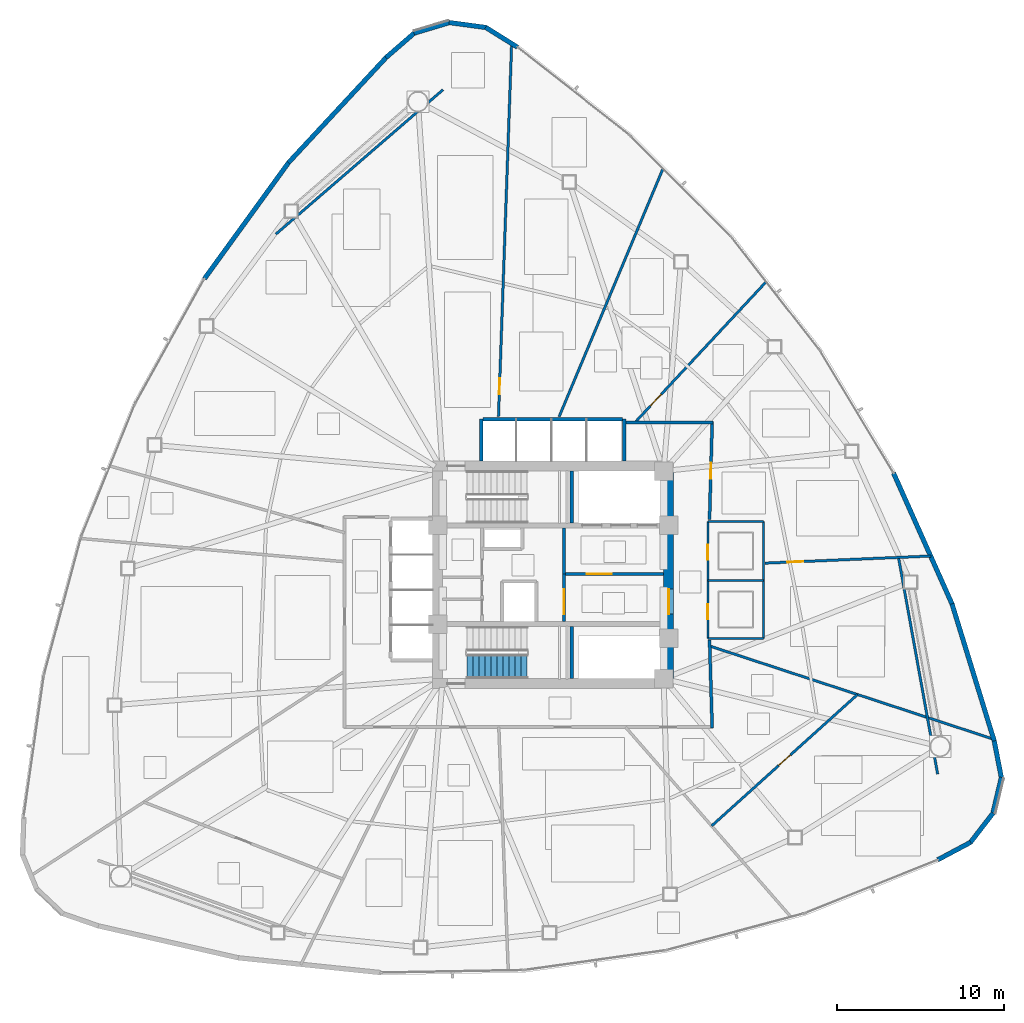
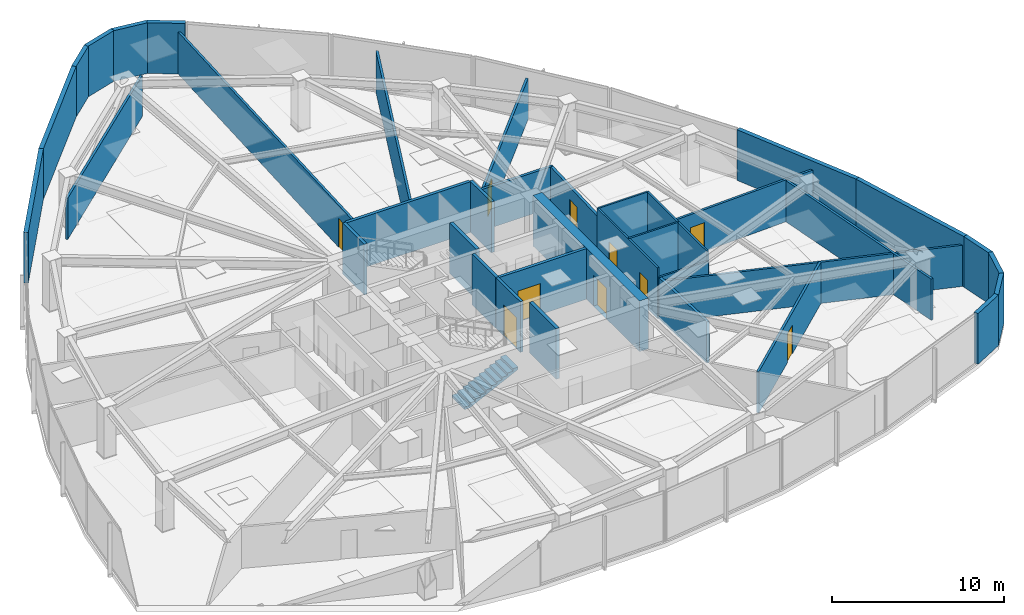
# One storey, part 12 of 17: 37 walls, 10 doors, 1 stair flight, 10 openings, 1 element without a shape of its own.
"""IFC4 building model written with IfcOpenShell, lengths in metres."""

from ifc_helpers import new_model, si_unit, direction, frame, frame_2d, origin, place, context, subcontext, project, spatial, polyline, rectangle, outline, extrude, material, layer, layer_set, type_object, element, fill, aggregate, save


model = new_model("IFC4")

# Units and contexts
model_context = context("Model", 3, precision=1e-05, world=origin(), true_north=direction((0.0, 1.0)))
body_context = subcontext(model_context, "Body", "Model", "MODEL_VIEW")
ifc_project = project(units=[si_unit("LENGTHUNIT", "METRE"), si_unit("AREAUNIT", "SQUARE_METRE"), si_unit("VOLUMEUNIT", "CUBIC_METRE"), si_unit("PLANEANGLEUNIT", "RADIAN"), si_unit("MASSUNIT", "GRAM", prefix="KILO")], contexts=[model_context])

# Site, building, storey
site_placement = place(None, origin())
site = spatial("IfcSite", under=ifc_project, at=site_placement, CompositionType="ELEMENT")
building_placement = place(site_placement, origin())
building = spatial("IfcBuilding", under=site, at=building_placement, Name="Tavelor Broadcast Tower", CompositionType="ELEMENT")
storey_placement = place(building_placement, frame((0.0, 0.0, 43.199951171875)))
storey = spatial("IfcBuildingStorey", under=building, at=storey_placement, Name="L09", CompositionType="ELEMENT", Elevation=43.199951171875)

# Wall, opening, door
ifc_material_1 = material(Name="Concrete C60/75", Category="concrete")
ifc_layer_1 = layer(ifc_material_1, 0.60009765625)
ifc_layer_set_1 = layer_set([ifc_layer_1], Name="Concrete C60/75")
wall_type_1 = type_object("IfcWallType", Name="Core Shear Wall 600 mm", PredefinedType="SHEAR", material=ifc_layer_set_1)
wall_1_placement = place(storey_placement, frame((56.89990234375, 38.800048828125, 0.0), z_axis=(0.0, 0.0, 1.0), x_axis=(0.0, 1.0, 0.0)))
wall_1 = element("IfcWall", 1, at=wall_1_placement, inside=storey, type_object=wall_type_1, Name="L09 Central Core Shear Wall E", PredefinedType="SHEAR", context=body_context, shape_type="SweptSolid", body=[
    extrude(rectangle(XDim=12.39990234375, YDim=0.60009765625, at=frame_2d((6.199951171875, 0.0))), origin(), (0.0, 0.0, 1.0), 3.60009765625),
])
opening_1_placement = place(wall_1_placement, frame((3.85009765625, 0.0, 0.0)))
opening_1 = element("IfcOpeningElement", 2, at=opening_1_placement, cuts=wall_1, Name="Opening DR14", PredefinedType="OPENING", context=body_context, shape_type="SweptSolid", body=[
    extrude(rectangle(XDim=1.5, YDim=2.199951171875, at=frame_2d((0.75, 1.10009765625))), frame((0.0, 0.31005859375, 0.0), z_axis=(0.0, -1.0, 0.0), x_axis=(1.0, 0.0, 0.0)), (0.0, 0.0, 1.0), 0.6201171875),
])
ifc_material_2 = material(Name="Steel S355", Category="steel")
door_type_1 = type_object("IfcDoorType", Name="Firefighting Lobby Double Fire Door 1500x2200", OperationType="NOTDEFINED", PredefinedType="DOOR", material=ifc_material_2)
door_1_placement = place(opening_1_placement, origin())
door_1 = element("IfcDoor", 3, at=door_1_placement, inside=storey, type_object=door_type_1, Name="L09 Central Core Lobby Fire Door", OperationType="SINGLE_SWING_RIGHT", OverallHeight=2.199951171875, OverallWidth=1.5, PredefinedType="DOOR", context=body_context, shape_type="SweptSolid", body=[
    extrude(rectangle(XDim=1.5, YDim=2.199951171875, at=frame_2d((0.75, 1.10009765625))), frame((0.0, 0.02490234375, 0.0), z_axis=(0.0, -1.0, 0.0), x_axis=(1.0, 0.0, 0.0)), (0.0, 0.0, 1.0), 0.050048828125),
])
fill(opening_1, door_1)

ifc_material_3 = material(Name="Calcium Silicate Fire Board 180 mm", Category="gypsum")
ifc_layer_2 = layer(ifc_material_3, 0.179931640625)
ifc_layer_set_2 = layer_set([ifc_layer_2], Name="Calcium Silicate Fire Board 180 mm")
wall_type_2 = type_object("IfcWallType", Name="Fire-Rated Corridor Partition Wall 180 mm", PredefinedType="PARTITIONING", material=ifc_layer_set_2)
wall_2_placement = place(storey_placement, frame((50.64990234375, 42.199951171875, 0.0), z_axis=(0.0, 0.0, 1.0), x_axis=(0.0, 1.0, 0.0)))
wall_2 = element("IfcWall", 4, at=wall_2_placement, inside=storey, type_object=wall_type_2, Name="L09 Core Lobby Zoning Wall", PredefinedType="PARTITIONING", context=body_context, shape_type="SweptSolid", body=[
    extrude(rectangle(XDim=2.85009765625, YDim=0.179931640625, at=frame_2d((1.425048828125, 0.0))), origin(), (0.0, 0.0, 1.0), 3.60009765625),
])
opening_2_placement = place(wall_2_placement, frame((0.449951171875, 0.0, 0.0)))
opening_2 = element("IfcOpeningElement", 5, at=opening_2_placement, cuts=wall_2, Name="Opening DR14", PredefinedType="OPENING", context=body_context, shape_type="SweptSolid", body=[
    extrude(rectangle(XDim=1.5, YDim=2.199951171875, at=frame_2d((0.75, 1.10009765625))), frame((0.0, 0.10009765625, 0.0), z_axis=(0.0, -1.0, 0.0), x_axis=(1.0, 0.0, 0.0)), (0.0, 0.0, 1.0), 0.199951171875),
])
door_2_placement = place(opening_2_placement, origin())
door_2 = element("IfcDoor", 6, at=door_2_placement, inside=storey, type_object=door_type_1, Name="L09 Core West Lobby Double Fire Door", OperationType="SINGLE_SWING_RIGHT", OverallHeight=2.199951171875, OverallWidth=1.5, PredefinedType="DOOR", context=body_context, shape_type="SweptSolid", body=[
    extrude(rectangle(XDim=1.5, YDim=2.199951171875, at=frame_2d((0.75, 1.10009765625))), frame((0.0, 0.02490234375, 0.0), z_axis=(0.0, -1.0, 0.0), x_axis=(1.0, 0.0, 0.0)), (0.0, 0.0, 1.0), 0.050048828125),
])
fill(opening_2, door_2)

# Wall
wall_3_placement = place(storey_placement, frame((54.300048828125, 54.10009765625, 0.0), z_axis=(0.0, 0.0, 1.0), x_axis=(1.0, 0.0, 0.0)))
element("IfcWall", 7, at=wall_3_placement, inside=storey, type_object=wall_type_2, Name="L09 Corridor Compartment Wall 01", PredefinedType="PARTITIONING", context=body_context, shape_type="SweptSolid", body=[
    extrude(rectangle(XDim=5.25, YDim=0.179931640625, at=frame_2d((2.625, 0.0))), origin(), (0.0, 0.0, 1.0), 2.925048828125),
])

# Wall, opening, door
wall_4_placement = place(storey_placement, frame((59.50146484375, 54.14990234375, 0.0), z_axis=(0.0, 0.0, 1.0), x_axis=(-0.027367567602, -0.999625437973, 0.0)))
wall_4 = element("IfcWall", 8, at=wall_4_placement, inside=storey, type_object=wall_type_2, Name="L09 Corridor Compartment Wall 02", PredefinedType="PARTITIONING", context=body_context, shape_type="SweptSolid", body=[
    extrude(rectangle(XDim=5.85205078125, YDim=0.179931640625, at=frame_2d((2.926025390625, 0.0))), origin(), (0.0, 0.0, 1.0), 2.925048828125),
])
opening_3_placement = place(wall_4_placement, frame((2.451171875, 0.0, 0.0)))
opening_3 = element("IfcOpeningElement", 9, at=opening_3_placement, cuts=wall_4, Name="Opening DR18", PredefinedType="OPENING", context=body_context, shape_type="SweptSolid", body=[
    extrude(rectangle(XDim=0.949951171875, YDim=2.050048828125, at=frame_2d((0.47509765625, 1.02490234375))), frame((0.0, 0.10009765625, 0.0), z_axis=(0.0, -1.0, 0.0), x_axis=(1.0, 0.0, 0.0)), (0.0, 0.0, 1.0), 0.199951171875),
])
ifc_material_4 = material(Name="Timber Solid Core Hardwood", Category="wood")
door_type_2 = type_object("IfcDoorType", Name="Corridor Rated Compartment Door 950x2050", OperationType="NOTDEFINED", PredefinedType="DOOR", material=ifc_material_4)
door_3_placement = place(opening_3_placement, origin())
door_3 = element("IfcDoor", 10, at=door_3_placement, inside=storey, type_object=door_type_2, Name="L09 Broadcast Concierge Desk Door R8", OperationType="SINGLE_SWING_RIGHT", OverallHeight=2.050048828125, OverallWidth=0.949951171875, PredefinedType="DOOR", context=body_context, shape_type="SweptSolid", body=[
    extrude(rectangle(XDim=0.949951171875, YDim=2.050048828125, at=frame_2d((0.47509765625, 1.02490234375))), frame((0.0, 0.02490234375, 0.0), z_axis=(0.0, -1.0, 0.0), x_axis=(1.0, 0.0, 0.0)), (0.0, 0.0, 1.0), 0.050048828125),
])
fill(opening_3, door_3)

# Walls
wall_5_placement = place(storey_placement, frame((59.341552734375, 41.10009765625, 0.0), z_axis=(0.0, 0.0, 1.0), x_axis=(0.030445329425, -0.999536433511, 0.0)))
element("IfcWall", 11, at=wall_5_placement, inside=storey, type_object=wall_type_2, Name="L09 Corridor Compartment Wall 03", PredefinedType="PARTITIONING", context=body_context, shape_type="SweptSolid", body=[
    extrude(rectangle(XDim=5.25244140625, YDim=0.179931640625, at=frame_2d((2.626220703125, 0.0))), origin(), (0.0, 0.0, 1.0), 2.925048828125),
])
ifc_material_5 = material(Name="Precast Concrete C40/50", Category="concrete")
ifc_layer_3 = layer(ifc_material_5, 0.280029296875)
ifc_layer_set_3 = layer_set([ifc_layer_3], Name="Precast Concrete C40/50")
wall_type_3 = type_object("IfcWallType", Name="Insulated Precast Terracotta Facade Wall 280 mm", PredefinedType="STANDARD", material=ifc_layer_set_3)
wall_6_placement = place(storey_placement, frame((47.864013671875, 76.5244140625, 0.0), z_axis=(0.0, 0.0, 1.0), x_axis=(-0.848494667363, 0.529203929934, 0.0)))
element("IfcWall", 12, at=wall_6_placement, inside=storey, type_object=wall_type_3, Name="L09 Rounded Corner Structural Cladding Pier 01", PredefinedType="STANDARD", context=body_context, shape_type="SweptSolid", body=[
    extrude(rectangle(XDim=2.236572265625, YDim=0.280029296875, at=frame_2d((1.1181640625, 0.0))), origin(), (0.0, 0.0, 1.0), 3.60009765625),
])
for number, where, z_axis, x_axis, name in (
    (13, (45.993896484375, 77.697998046875, 0.0), (0.0, 0.0, 1.0), (-0.991103852052, 0.133090775217, 0.0), "L09 Rounded Corner Structural Cladding Pier 02"),
    (14, (43.81787109375, 77.99658203125, 0.0), (0.0, 0.0, 1.0), (-0.958055481091, -0.286582789351, 0.0), "L09 Rounded Corner Structural Cladding Pier 03"),
):
    element("IfcWall", number, at=place(storey_placement, frame(where, z_axis=z_axis, x_axis=x_axis)), inside=storey, type_object=wall_type_3, Name=name, PredefinedType="STANDARD", context=body_context, shape_type="SweptSolid", body=[
        extrude(rectangle(XDim=2.22509765625, YDim=0.280029296875, at=frame_2d((1.112548828125, 0.0))), origin(), (0.0, 0.0, 1.0), 3.60009765625),
    ])
wall_7_placement = place(storey_placement, frame((41.7119140625, 77.373046875, 0.0), z_axis=(0.0, 0.0, 1.0), x_axis=(-0.755355676043, -0.655315040778, 0.0)))
element("IfcWall", 15, at=wall_7_placement, inside=storey, type_object=wall_type_3, Name="L09 Rounded Corner Structural Cladding Pier 04", PredefinedType="STANDARD", context=body_context, shape_type="SweptSolid", body=[
    extrude(rectangle(XDim=2.24755859375, YDim=0.280029296875, at=frame_2d((1.123779296875, 0.0))), origin(), (0.0, 0.0, 1.0), 3.60009765625),
])
wall_8_placement = place(storey_placement, frame((40.035888671875, 75.9208984375, 0.0), z_axis=(0.0, 0.0, 1.0), x_axis=(-0.68044238653, -0.732801582022, 0.0)))
element("IfcWall", 16, at=wall_8_placement, inside=storey, type_object=wall_type_3, Name="L09 Rounded Corner Structural Cladding Pier 05", PredefinedType="STANDARD", context=body_context, shape_type="SweptSolid", body=[
    extrude(rectangle(XDim=8.59814453125, YDim=0.280029296875, at=frame_2d((4.299072265625, 0.0))), origin(), (0.0, 0.0, 1.0), 3.60009765625),
])
wall_9_placement = place(storey_placement, frame((34.204345703125, 69.64306640625, 0.0), z_axis=(0.0, 0.0, 1.0), x_axis=(-0.586738770154, -0.809776275028, 0.0)))
element("IfcWall", 17, at=wall_9_placement, inside=storey, type_object=wall_type_3, Name="L09 Rounded Corner Structural Cladding Pier 06", PredefinedType="STANDARD", context=body_context, shape_type="SweptSolid", body=[
    extrude(rectangle(XDim=8.586181640625, YDim=0.280029296875, at=frame_2d((4.29296875, 0.0))), origin(), (0.0, 0.0, 1.0), 3.60009765625),
])
wall_10_placement = place(storey_placement, frame((72.968994140625, 27.969970703125, 0.0), z_axis=(0.0, 0.0, 1.0), x_axis=(0.882579473969, 0.470163239874, 0.0)))
element("IfcWall", 18, at=wall_10_placement, inside=storey, type_object=wall_type_3, Name="L09 Rounded Corner Structural Cladding Pier 21", PredefinedType="STANDARD", context=body_context, shape_type="SweptSolid", body=[
    extrude(rectangle(XDim=2.236572265625, YDim=0.280029296875, at=frame_2d((1.1181640625, 0.0))), origin(), (0.0, 0.0, 1.0), 3.60009765625),
])
wall_11_placement = place(storey_placement, frame((74.92041015625, 29.002685546875, 0.0), z_axis=(0.0, 0.0, 1.0), x_axis=(0.610829003642, 0.791762545407, 0.0)))
element("IfcWall", 19, at=wall_11_placement, inside=storey, type_object=wall_type_3, Name="L09 Rounded Corner Structural Cladding Pier 22", PredefinedType="STANDARD", context=body_context, shape_type="SweptSolid", body=[
    extrude(rectangle(XDim=2.22509765625, YDim=0.280029296875, at=frame_2d((1.112548828125, 0.0))), origin(), (0.0, 0.0, 1.0), 3.60009765625),
])
wall_12_placement = place(storey_placement, frame((76.26708984375, 30.738037109375, 0.0), z_axis=(0.0, 0.0, 1.0), x_axis=(0.230873771051, 0.972983710984, 0.0)))
element("IfcWall", 20, at=wall_12_placement, inside=storey, type_object=wall_type_3, Name="L09 Rounded Corner Structural Cladding Pier 23", PredefinedType="STANDARD", context=body_context, shape_type="SweptSolid", body=[
    extrude(rectangle(XDim=2.224853515625, YDim=0.280029296875, at=frame_2d((1.1123046875, 0.0))), origin(), (0.0, 0.0, 1.0), 3.60009765625),
])
wall_13_placement = place(storey_placement, frame((76.780029296875, 32.87353515625, 0.0), z_axis=(0.0, 0.0, 1.0), x_axis=(-0.189991507886, 0.981785733718, 0.0)))
element("IfcWall", 21, at=wall_13_placement, inside=storey, type_object=wall_type_3, Name="L09 Rounded Corner Structural Cladding Pier 24", PredefinedType="STANDARD", context=body_context, shape_type="SweptSolid", body=[
    extrude(rectangle(XDim=2.24755859375, YDim=0.280029296875, at=frame_2d((1.123779296875, 0.0))), origin(), (0.0, 0.0, 1.0), 3.60009765625),
])
wall_14_placement = place(storey_placement, frame((76.3603515625, 35.05126953125, 0.0), z_axis=(0.0, 0.0, 1.0), x_axis=(-0.29442303494, 0.955675194037, 0.0)))
element("IfcWall", 22, at=wall_14_placement, inside=storey, type_object=wall_type_3, Name="L09 Rounded Corner Structural Cladding Pier 25", PredefinedType="STANDARD", context=body_context, shape_type="SweptSolid", body=[
    extrude(rectangle(XDim=8.59814453125, YDim=0.280029296875, at=frame_2d((4.299072265625, 0.0))), origin(), (0.0, 0.0, 1.0), 3.60009765625),
])
wall_15_placement = place(storey_placement, frame((73.83935546875, 43.240234375, 0.0), z_axis=(0.0, 0.0, 1.0), x_axis=(-0.407915855492, 0.91301952599, 0.0)))
element("IfcWall", 23, at=wall_15_placement, inside=storey, type_object=wall_type_3, Name="L09 Rounded Corner Structural Cladding Pier 26", PredefinedType="STANDARD", context=body_context, shape_type="SweptSolid", body=[
    extrude(rectangle(XDim=8.586181640625, YDim=0.280029296875, at=frame_2d((4.29296875, 0.0))), origin(), (0.0, 0.0, 1.0), 3.60009765625),
])
ifc_material_6 = material(Name="Gypsum Acoustic Plasterboard 150 mm", Category="gypsum")
ifc_layer_4 = layer(ifc_material_6, 0.14990234375)
ifc_layer_set_4 = layer_set([ifc_layer_4], Name="Gypsum Acoustic Plasterboard 150 mm")
wall_type_4 = type_object("IfcWallType", Name="Interior Acoustic Partition Wall 150 mm", PredefinedType="PARTITIONING", material=ifc_layer_set_4)
wall_16_placement = place(storey_placement, frame((43.42138671875, 73.9794921875, 0.0), z_axis=(0.0, 0.0, 1.0), x_axis=(-0.756659135409, -0.653809569218, 0.0)))
element("IfcWall", 24, at=wall_16_placement, inside=storey, type_object=wall_type_4, Name="L09 Corner Tube Brace Furring Wall 1", PredefinedType="PARTITIONING", context=body_context, shape_type="SweptSolid", body=[
    extrude(rectangle(XDim=13.200439453125, YDim=0.14990234375, at=frame_2d((6.60009765625, 0.0))), origin(), (0.0, 0.0, 1.0), 2.925048828125),
])
wall_17_placement = place(storey_placement, frame((72.96923828125, 33.09130859375, 0.0), z_axis=(0.0, 0.0, 1.0), x_axis=(-0.177742578179, 0.984077017261, 0.0)))
element("IfcWall", 25, at=wall_17_placement, inside=storey, type_object=wall_type_4, Name="L09 Corner Tube Brace Furring Wall 3", PredefinedType="PARTITIONING", context=body_context, shape_type="SweptSolid", body=[
    extrude(rectangle(XDim=13.179443359375, YDim=0.14990234375, at=frame_2d((6.58984375, 0.0))), origin(), (0.0, 0.0, 1.0), 2.925048828125),
])

# Wall, opening, door
wall_18_placement = place(storey_placement, frame((54.885986328125, 54.10009765625, 0.0), z_axis=(0.0, 0.0, 1.0), x_axis=(0.682006045628, 0.731346534638, 0.0)))
wall_18 = element("IfcWall", 26, at=wall_18_placement, inside=storey, type_object=wall_type_4, Name="L09 Radial Compartment Wall 01", PredefinedType="PARTITIONING", context=body_context, shape_type="SweptSolid", body=[
    extrude(rectangle(XDim=11.50927734375, YDim=0.14990234375, at=frame_2d((5.754638671875, 0.0))), origin(), (0.0, 0.0, 1.0), 2.925048828125),
])
opening_4_placement = place(wall_18_placement, frame((1.35009765625, 0.0, 0.0)))
opening_4 = element("IfcOpeningElement", 27, at=opening_4_placement, cuts=wall_18, Name="Opening DR18", PredefinedType="OPENING", context=body_context, shape_type="SweptSolid", body=[
    extrude(rectangle(XDim=0.949951171875, YDim=2.050048828125, at=frame_2d((0.47509765625, 1.02490234375))), frame((0.0, 0.0849609375, 0.0), z_axis=(0.0, -1.0, 0.0), x_axis=(1.0, 0.0, 0.0)), (0.0, 0.0, 1.0), 0.169921875),
])
door_4_placement = place(opening_4_placement, origin())
door_4 = element("IfcDoor", 28, at=door_4_placement, inside=storey, type_object=door_type_2, Name="L09 Suite Connecting Door 7", OperationType="SINGLE_SWING_RIGHT", OverallHeight=2.050048828125, OverallWidth=0.949951171875, PredefinedType="DOOR", context=body_context, shape_type="SweptSolid", body=[
    extrude(rectangle(XDim=0.949951171875, YDim=2.050048828125, at=frame_2d((0.47509765625, 1.02490234375))), frame((0.0, 0.02490234375, 0.0), z_axis=(0.0, -1.0, 0.0), x_axis=(1.0, 0.0, 0.0)), (0.0, 0.0, 1.0), 0.050048828125),
])
fill(opening_4, door_4)

# Wall
wall_19_placement = place(storey_placement, frame((50.357421875, 54.449951171875, 0.0), z_axis=(0.0, 0.0, 1.0), x_axis=(0.386255878412, 0.922391671901, 0.0)))
element("IfcWall", 29, at=wall_19_placement, inside=storey, type_object=wall_type_4, Name="L09 Radial Compartment Wall 02", PredefinedType="PARTITIONING", context=body_context, shape_type="SweptSolid", body=[
    extrude(rectangle(XDim=16.077392578125, YDim=0.14990234375, at=frame_2d((8.03857421875, 0.0))), origin(), (0.0, 0.0, 1.0), 2.925048828125),
])

# Wall, opening, door
wall_20_placement = place(storey_placement, frame((46.7333984375, 54.449951171875, 0.0), z_axis=(0.0, 0.0, 1.0), x_axis=(0.035284497106, 0.999377308259, 0.0)))
wall_20 = element("IfcWall", 30, at=wall_20_placement, inside=storey, type_object=wall_type_4, Name="L09 Radial Compartment Wall 03", PredefinedType="PARTITIONING", context=body_context, shape_type="SweptSolid", body=[
    extrude(rectangle(XDim=22.314453125, YDim=0.14990234375, at=frame_2d((11.1572265625, 0.0))), origin(), (0.0, 0.0, 1.0), 2.97509765625),
])
opening_5_placement = place(wall_20_placement, frame((1.35009765625, 0.0, 0.0)))
opening_5 = element("IfcOpeningElement", 31, at=opening_5_placement, cuts=wall_20, Name="Opening DR18", PredefinedType="OPENING", context=body_context, shape_type="SweptSolid", body=[
    extrude(rectangle(XDim=0.949951171875, YDim=2.050048828125, at=frame_2d((0.47509765625, 1.02490234375))), frame((0.0, 0.0849609375, 0.0), z_axis=(0.0, -1.0, 0.0), x_axis=(1.0, 0.0, 0.0)), (0.0, 0.0, 1.0), 0.169921875),
])
door_5_placement = place(opening_5_placement, origin())
door_5 = element("IfcDoor", 32, at=door_5_placement, inside=storey, type_object=door_type_2, Name="L09 Suite Connecting Door 6", OperationType="SINGLE_SWING_LEFT", OverallHeight=2.050048828125, OverallWidth=0.949951171875, PredefinedType="DOOR", context=body_context, shape_type="SweptSolid", body=[
    extrude(rectangle(XDim=0.949951171875, YDim=2.050048828125, at=frame_2d((0.47509765625, 1.02490234375))), frame((0.0, 0.02490234375, 0.0), z_axis=(0.0, -1.0, 0.0), x_axis=(1.0, 0.0, 0.0)), (0.0, 0.0, 1.0), 0.050048828125),
])
fill(opening_5, door_5)

# Wall
wall_21_placement = place(storey_placement, frame((59.352294921875, 40.748046875, 0.0), z_axis=(0.0, 0.0, 1.0), x_axis=(0.95011325809, -0.31190510865, 0.0)))
element("IfcWall", 33, at=wall_21_placement, inside=storey, type_object=wall_type_4, Name="L09 Radial Compartment Wall 10", PredefinedType="PARTITIONING", context=body_context, shape_type="SweptSolid", body=[
    extrude(rectangle(XDim=17.872314453125, YDim=0.14990234375, at=frame_2d((8.93603515625, 0.0))), origin(), (0.0, 0.0, 1.0), 2.925048828125),
])

# Wall, opening, door
wall_22_placement = place(storey_placement, frame((62.64990234375, 45.697509765625, 0.0), z_axis=(0.0, 0.0, 1.0), x_axis=(0.999078725553, 0.042915034048, 0.0)))
wall_22 = element("IfcWall", 34, at=wall_22_placement, inside=storey, type_object=wall_type_4, Name="L09 Radial Compartment Wall 11", PredefinedType="PARTITIONING", context=body_context, shape_type="SweptSolid", body=[
    extrude(rectangle(XDim=9.92138671875, YDim=0.14990234375, at=frame_2d((4.960693359375, 0.0))), origin(), (0.0, 0.0, 1.0), 2.97509765625),
])
opening_6_placement = place(wall_22_placement, frame((1.35009765625, 0.0, 0.0)))
opening_6 = element("IfcOpeningElement", 35, at=opening_6_placement, cuts=wall_22, Name="Opening DR18", PredefinedType="OPENING", context=body_context, shape_type="SweptSolid", body=[
    extrude(rectangle(XDim=0.949951171875, YDim=2.050048828125, at=frame_2d((0.47509765625, 1.02490234375))), frame((0.0, 0.0849609375, 0.0), z_axis=(0.0, -1.0, 0.0), x_axis=(1.0, 0.0, 0.0)), (0.0, 0.0, 1.0), 0.169921875),
])
door_6_placement = place(opening_6_placement, origin())
door_6 = element("IfcDoor", 36, at=door_6_placement, inside=storey, type_object=door_type_2, Name="L09 Suite Connecting Door 9", OperationType="SINGLE_SWING_LEFT", OverallHeight=2.050048828125, OverallWidth=0.949951171875, PredefinedType="DOOR", context=body_context, shape_type="SweptSolid", body=[
    extrude(rectangle(XDim=0.949951171875, YDim=2.050048828125, at=frame_2d((0.47509765625, 1.02490234375))), frame((0.0, 0.02490234375, 0.0), z_axis=(0.0, -1.0, 0.0), x_axis=(1.0, 0.0, 0.0)), (0.0, 0.0, 1.0), 0.050048828125),
])
fill(opening_6, door_6)

wall_23_placement = place(storey_placement, frame((59.46728515625, 29.999755859375, 0.0), z_axis=(0.0, 0.0, 1.0), x_axis=(0.743038445117, 0.669248734835, 0.0)))
wall_23 = element("IfcWall", 37, at=wall_23_placement, inside=storey, type_object=wall_type_4, Name="L09 Suite Chord Partition Wall 02", PredefinedType="PARTITIONING", context=body_context, shape_type="SweptSolid", body=[
    extrude(rectangle(XDim=11.72900390625, YDim=0.14990234375, at=frame_2d((5.864501953125, 0.0))), origin(), (0.0, 0.0, 1.0), 2.925048828125),
])
opening_7_placement = place(wall_23_placement, frame((5.389404296875, 0.0, 0.0)))
opening_7 = element("IfcOpeningElement", 38, at=opening_7_placement, cuts=wall_23, Name="Opening DR23", PredefinedType="OPENING", context=body_context, shape_type="SweptSolid", body=[
    extrude(rectangle(XDim=0.949951171875, YDim=2.050048828125, at=frame_2d((0.47509765625, 1.02490234375))), frame((0.0, 0.0849609375, 0.0), z_axis=(0.0, -1.0, 0.0), x_axis=(1.0, 0.0, 0.0)), (0.0, 0.0, 1.0), 0.169921875),
])
door_type_3 = type_object("IfcDoorType", Name="Editorial Room Acoustic Door 950x2050", OperationType="NOTDEFINED", PredefinedType="DOOR", material=ifc_material_4)
door_7_placement = place(opening_7_placement, origin())
door_7 = element("IfcDoor", 39, at=door_7_placement, inside=storey, type_object=door_type_3, Name="L09 Outer Suite Partition Door 2", OperationType="SINGLE_SWING_LEFT", OverallHeight=2.050048828125, OverallWidth=0.949951171875, PredefinedType="DOOR", context=body_context, shape_type="SweptSolid", body=[
    extrude(rectangle(XDim=0.949951171875, YDim=2.050048828125, at=frame_2d((0.47509765625, 1.02490234375))), frame((0.0, 0.02490234375, 0.0), z_axis=(0.0, -1.0, 0.0), x_axis=(1.0, 0.0, 0.0)), (0.0, 0.0, 1.0), 0.050048828125),
])
fill(opening_7, door_7)

# Walls
ifc_material_7 = material(Name="Concrete Blockwork 200 mm", Category="masonry")
ifc_layer_5 = layer(ifc_material_7, 0.199951171875)
ifc_layer_set_5 = layer_set([ifc_layer_5], Name="Concrete Blockwork 200 mm")
wall_type_5 = type_object("IfcWallType", Name="Lift Hoistway Rated Front Wall 200 mm", PredefinedType="PARTITIONING", material=ifc_layer_set_5)
wall_24_placement = place(storey_placement, frame((45.820068359375, 54.300048828125, 0.0), z_axis=(0.0, 0.0, 1.0), x_axis=(1.0, 0.0, 0.0)))
element("IfcWall", 40, at=wall_24_placement, inside=storey, type_object=wall_type_5, Name="L09 High-Rise Lift Hoistway Front Wall", PredefinedType="PARTITIONING", context=body_context, shape_type="SweptSolid", body=[
    extrude(rectangle(XDim=8.309814453125, YDim=0.199951171875, at=frame_2d((4.15478515625, 0.0))), origin(), (0.0, 0.0, 1.0), 3.60009765625),
])
ifc_layer_6 = layer(ifc_material_7, 0.199951171875)
ifc_layer_set_6 = layer_set([ifc_layer_6], Name="Concrete Blockwork 200 mm")
wall_type_6 = type_object("IfcWallType", Name="Lift and Riser Shaft Enclosure Wall 200 mm", PredefinedType="PARTITIONING", material=ifc_layer_set_6)
for number, where, z_axis, x_axis, name in (
    (41, (45.699951171875, 51.800048828125, 0.0), (0.0, 0.0, 1.0), (0.0, 1.0, 0.0), "L09 High-Rise Lift Shaft West Wall"),
    (42, (54.25, 51.800048828125, 0.0), (0.0, 0.0, 1.0), (0.0, 1.0, 0.0), "L09 High-Rise Lift Shaft East Wall"),
):
    element("IfcWall", number, at=place(storey_placement, frame(where, z_axis=z_axis, x_axis=x_axis)), inside=storey, type_object=wall_type_6, Name=name, PredefinedType="PARTITIONING", context=body_context, shape_type="SweptSolid", body=[
        extrude(rectangle(XDim=2.5, YDim=0.199951171875, at=frame_2d((1.25, 0.0))), origin(), (0.0, 0.0, 1.0), 3.60009765625),
    ])

# Wall, opening, door
wall_25_placement = place(storey_placement, frame((50.64990234375, 45.050048828125, 0.0), z_axis=(0.0, 0.0, 1.0), x_axis=(1.0, 0.0, 0.0)))
wall_25 = element("IfcWall", 43, at=wall_25_placement, inside=storey, type_object=wall_type_6, Name="L09 Firefighting Lobby South Wall", PredefinedType="PARTITIONING", context=body_context, shape_type="SweptSolid", body=[
    extrude(rectangle(XDim=5.9501953125, YDim=0.199951171875, at=frame_2d((2.97509765625, 0.0))), origin(), (0.0, 0.0, 1.0), 3.60009765625),
])
opening_8_placement = place(wall_25_placement, frame((1.35009765625, 0.0, 0.0)))
opening_8 = element("IfcOpeningElement", 44, at=opening_8_placement, cuts=wall_25, Name="Opening DR14", PredefinedType="OPENING", context=body_context, shape_type="SweptSolid", body=[
    extrude(rectangle(XDim=1.5, YDim=2.199951171875, at=frame_2d((0.75, 1.10009765625))), frame((0.0, 0.10986328125, 0.0), z_axis=(0.0, -1.0, 0.0), x_axis=(1.0, 0.0, 0.0)), (0.0, 0.0, 1.0), 0.219970703125),
])
door_8_placement = place(opening_8_placement, origin())
door_8 = element("IfcDoor", 45, at=door_8_placement, inside=storey, type_object=door_type_1, Name="L09 Firefighting Lobby Compartment Door", OperationType="SINGLE_SWING_LEFT", OverallHeight=2.199951171875, OverallWidth=1.5, PredefinedType="DOOR", context=body_context, shape_type="SweptSolid", body=[
    extrude(rectangle(XDim=1.5, YDim=2.199951171875, at=frame_2d((0.75, 1.10009765625))), frame((0.0, 0.02490234375, 0.0), z_axis=(0.0, -1.0, 0.0), x_axis=(1.0, 0.0, 0.0)), (0.0, 0.0, 1.0), 0.050048828125),
])
fill(opening_8, door_8)

# Wall
wall_26_placement = place(storey_placement, frame((50.64990234375, 45.050048828125, 0.0), z_axis=(0.0, 0.0, 1.0), x_axis=(0.0, 1.0, 0.0)))
element("IfcWall", 46, at=wall_26_placement, inside=storey, type_object=wall_type_6, Name="L09 Firefighting Lobby West Wall", PredefinedType="PARTITIONING", context=body_context, shape_type="SweptSolid", body=[
    extrude(rectangle(XDim=2.75, YDim=0.199951171875, at=frame_2d((1.375, 0.0))), origin(), (0.0, 0.0, 1.0), 3.60009765625),
])

# Wall, openings, doors
ifc_material_8 = material(Name="Moisture-Resistant Plasterboard 120 mm", Category="gypsum")
ifc_layer_7 = layer(ifc_material_8, 0.1201171875)
ifc_layer_set_7 = layer_set([ifc_layer_7], Name="Moisture-Resistant Plasterboard 120 mm")
wall_type_7 = type_object("IfcWallType", Name="Moisture-Resistant Wet-Room Partition 120 mm", PredefinedType="PARTITIONING", material=ifc_layer_set_7)
wall_27_placement = place(storey_placement, frame((59.239990234375, 41.199951171875, 0.0), z_axis=(0.0, 0.0, 1.0), x_axis=(0.0, 1.0, 0.0)))
wall_27 = element("IfcWall", 47, at=wall_27_placement, inside=storey, type_object=wall_type_7, Name="L09 Floor Washrooms West Wall", PredefinedType="PARTITIONING", context=body_context, shape_type="SweptSolid", body=[
    extrude(rectangle(XDim=7.0, YDim=0.1201171875, at=frame_2d((3.5, 0.0))), origin(), (0.0, 0.0, 1.0), 3.60009765625),
])
opening_9_placement = place(wall_27_placement, frame((1.14990234375, 0.0, 0.0)))
opening_9 = element("IfcOpeningElement", 48, at=opening_9_placement, cuts=wall_27, Name="Opening DR32", PredefinedType="OPENING", context=body_context, shape_type="SweptSolid", body=[
    extrude(rectangle(XDim=0.89990234375, YDim=2.050048828125, at=frame_2d((0.449951171875, 1.02490234375))), frame((0.0, 0.070068359375, 0.0), z_axis=(0.0, -1.0, 0.0), x_axis=(1.0, 0.0, 0.0)), (0.0, 0.0, 1.0), 0.14013671875),
])
opening_10_placement = place(wall_27_placement, frame((4.699951171875, 0.0, 0.0)))
opening_10 = element("IfcOpeningElement", 49, at=opening_10_placement, cuts=wall_27, Name="Opening DR32", PredefinedType="OPENING", context=body_context, shape_type="SweptSolid", body=[
    extrude(rectangle(XDim=0.89990234375, YDim=2.050048828125, at=frame_2d((0.449951171875, 1.02490234375))), frame((0.0, 0.070068359375, 0.0), z_axis=(0.0, -1.0, 0.0), x_axis=(1.0, 0.0, 0.0)), (0.0, 0.0, 1.0), 0.14013671875),
])
door_type_4 = type_object("IfcDoorType", Name="Accessible Washroom Door 900x2050", OperationType="NOTDEFINED", PredefinedType="DOOR", material=ifc_material_4)
door_9_placement = place(opening_9_placement, origin())
door_9 = element("IfcDoor", 50, at=door_9_placement, inside=storey, type_object=door_type_4, Name="L09 Accessible WC Door", OperationType="SINGLE_SWING_LEFT", OverallHeight=2.050048828125, OverallWidth=0.89990234375, PredefinedType="DOOR", context=body_context, shape_type="SweptSolid", body=[
    extrude(rectangle(XDim=0.89990234375, YDim=2.050048828125, at=frame_2d((0.449951171875, 1.02490234375))), frame((0.0, 0.02490234375, 0.0), z_axis=(0.0, -1.0, 0.0), x_axis=(1.0, 0.0, 0.0)), (0.0, 0.0, 1.0), 0.050048828125),
])
fill(opening_9, door_9)
door_10_placement = place(opening_10_placement, origin())
door_10 = element("IfcDoor", 51, at=door_10_placement, inside=storey, type_object=door_type_4, Name="L09 Staff Washroom WC Door", OperationType="SINGLE_SWING_RIGHT", OverallHeight=2.050048828125, OverallWidth=0.89990234375, PredefinedType="DOOR", context=body_context, shape_type="SweptSolid", body=[
    extrude(rectangle(XDim=0.89990234375, YDim=2.050048828125, at=frame_2d((0.449951171875, 1.02490234375))), frame((0.0, 0.02490234375, 0.0), z_axis=(0.0, -1.0, 0.0), x_axis=(1.0, 0.0, 0.0)), (0.0, 0.0, 1.0), 0.050048828125),
])
fill(opening_10, door_10)

# Walls
wall_28_placement = place(storey_placement, frame((59.239990234375, 41.199951171875, 0.0), z_axis=(0.0, 0.0, 1.0), x_axis=(1.0, 0.0, 0.0)))
element("IfcWall", 52, at=wall_28_placement, inside=storey, type_object=wall_type_7, Name="L09 Floor Washrooms South Wall", PredefinedType="PARTITIONING", context=body_context, shape_type="SweptSolid", body=[
    extrude(rectangle(XDim=3.340087890625, YDim=0.1201171875, at=frame_2d((1.669921875, 0.0))), origin(), (0.0, 0.0, 1.0), 2.925048828125),
])
for number, where, z_axis, x_axis, name in (
    (53, (59.239990234375, 44.64990234375, 0.0), (0.0, 0.0, 1.0), (1.0, 0.0, 0.0), "L09 Floor Washrooms Divider Wall"),
    (54, (59.239990234375, 48.199951171875, 0.0), (0.0, 0.0, 1.0), (1.0, 0.0, 0.0), "L09 Floor Washrooms North Wall"),
):
    element("IfcWall", number, at=place(storey_placement, frame(where, z_axis=z_axis, x_axis=x_axis)), inside=storey, type_object=wall_type_7, Name=name, PredefinedType="PARTITIONING", context=body_context, shape_type="SweptSolid", body=[
        extrude(rectangle(XDim=3.340087890625, YDim=0.1201171875, at=frame_2d((1.669921875, 0.0))), origin(), (0.0, 0.0, 1.0), 3.60009765625),
    ])
wall_29_placement = place(storey_placement, frame((62.580078125, 41.199951171875, 0.0), z_axis=(0.0, 0.0, 1.0), x_axis=(0.0, 1.0, 0.0)))
element("IfcWall", 55, at=wall_29_placement, inside=storey, type_object=wall_type_7, Name="L09 Floor Washrooms East Wall", PredefinedType="PARTITIONING", context=body_context, shape_type="SweptSolid", body=[
    extrude(rectangle(XDim=7.0, YDim=0.1201171875, at=frame_2d((3.5, 0.0))), origin(), (0.0, 0.0, 1.0), 3.60009765625),
])
ifc_material_9 = material(Name="Concrete C40/50", Category="concrete")
ifc_layer_8 = layer(ifc_material_9, 0.219970703125)
ifc_layer_set_8 = layer_set([ifc_layer_8], Name="Concrete C40/50")
wall_type_8 = type_object("IfcWallType", Name="Structural Stairwell Shear Wall 220 mm", PredefinedType="SHEAR", material=ifc_layer_set_8)
for number, where, z_axis, x_axis, name in (
    (56, (51.110107421875, 48.10009765625, 0.0), (0.0, 0.0, 1.0), (0.0, 1.0, 0.0), "L09 Stair ST1 Structural Shaft Wall"),
    (57, (51.110107421875, 38.800048828125, 0.0), (0.0, 0.0, 1.0), (0.0, 1.0, 0.0), "L09 Stair ST2 Structural Shaft Wall"),
):
    element("IfcWall", number, at=place(storey_placement, frame(where, z_axis=z_axis, x_axis=x_axis)), inside=storey, type_object=wall_type_8, Name=name, PredefinedType="SHEAR", context=body_context, shape_type="SweptSolid", body=[
        extrude(rectangle(XDim=3.099853515625, YDim=0.219970703125, at=frame_2d((1.5498046875, 0.0))), origin(), (0.0, 0.0, 1.0), 3.60009765625),
    ])

# Stair, stair flight
stair_type = type_object("IfcStairType", Name="Reinforced Concrete Protected Dogleg Stair 1450 mm", PredefinedType="HALF_TURN_STAIR", material=ifc_material_9)
stair_placement = place(storey_placement, origin())
stair = element("IfcStair", 58, at=stair_placement, inside=storey, type_object=stair_type, Name="L09 Protected Core Exit Stair ST2", PredefinedType="HALF_TURN_STAIR")
stair_flight_type = type_object("IfcStairFlightType", Name="Reinforced Concrete Stair Flight 1450 mm", PredefinedType="STRAIGHT", material=ifc_material_9)
stair_flight_placement = place(storey_placement, frame((44.85009765625, 39.52490234375, 0.0), z_axis=(0.0, 0.0, 1.0), x_axis=(1.0, 0.0, 0.0)))
stair_flight = element("IfcStairFlight", 59, at=stair_flight_placement, type_object=stair_flight_type, Name="ST2 flight 1", NumberOfRisers=11, NumberOfTreads=10, PredefinedType="STRAIGHT", RiserHeight=0.177272727, TreadLength=0.36, context=body_context, shape_type="SweptSolid", body=[
    extrude(outline(polyline([(0.0, 0.0), (0.0, 0.17724609375), (0.360107421875, 0.17724609375), (0.360107421875, 0.3544921875), (0.719970703125, 0.3544921875), (0.719970703125, 0.53173828125), (1.080078125, 0.53173828125), (1.080078125, 0.708984375), (1.43994140625, 0.708984375), (1.43994140625, 0.886474609375), (1.800048828125, 0.886474609375), (1.800048828125, 1.063720703125), (2.159912109375, 1.063720703125), (2.159912109375, 1.240966796875), (2.52001953125, 1.240966796875), (2.52001953125, 1.418212890625), (2.8798828125, 1.418212890625), (2.8798828125, 1.595458984375), (3.239990234375, 1.595458984375), (3.239990234375, 1.772705078125), (3.60009765625, 1.772705078125), (3.60009765625, 1.949951171875), (3.60009765625, 1.605712890625), (0.33935546875, 0.0), (0.0, 0.0)])), frame((0.0, 0.72509765625, 0.0), z_axis=(0.0, -1.0, 0.0), x_axis=(1.0, 0.0, 0.0)), (0.0, 0.0, 1.0), 1.449951171875),
])
aggregate(stair, [stair_flight])

save(model, "model.ifc")
